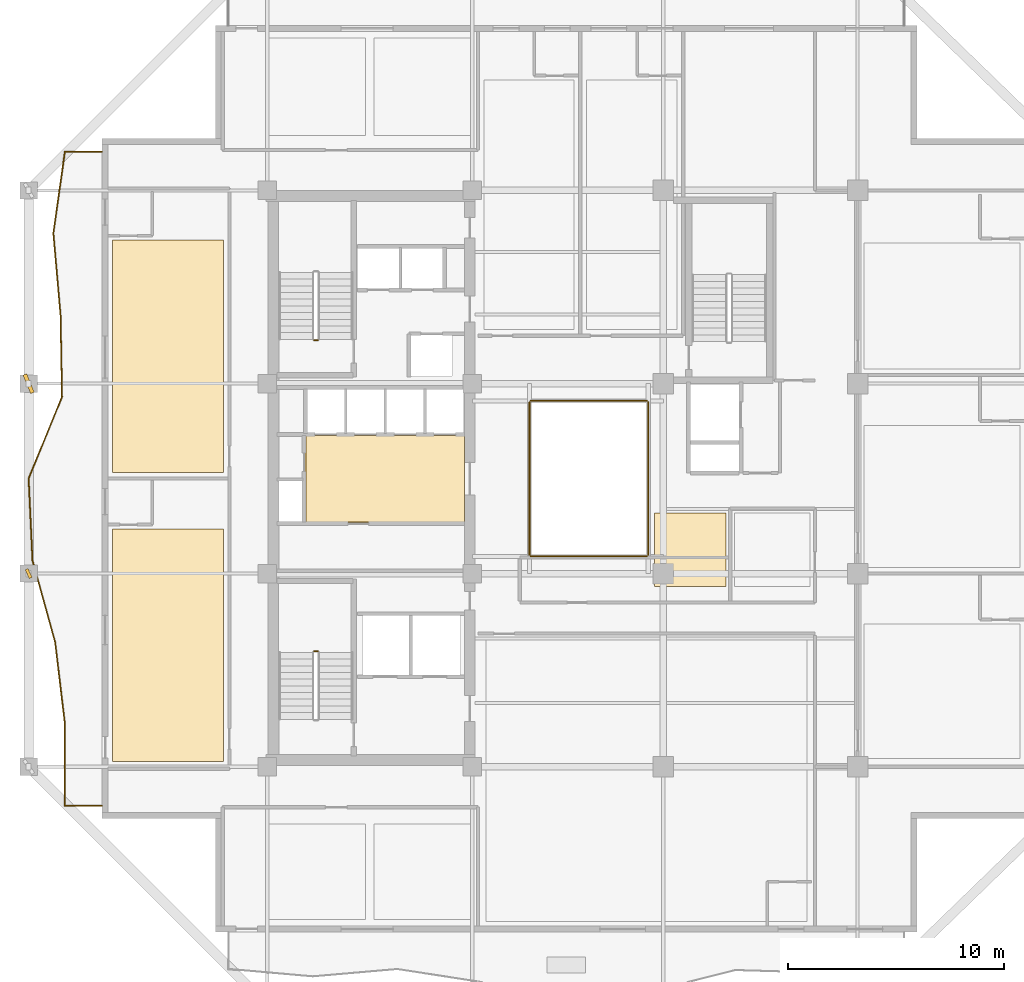
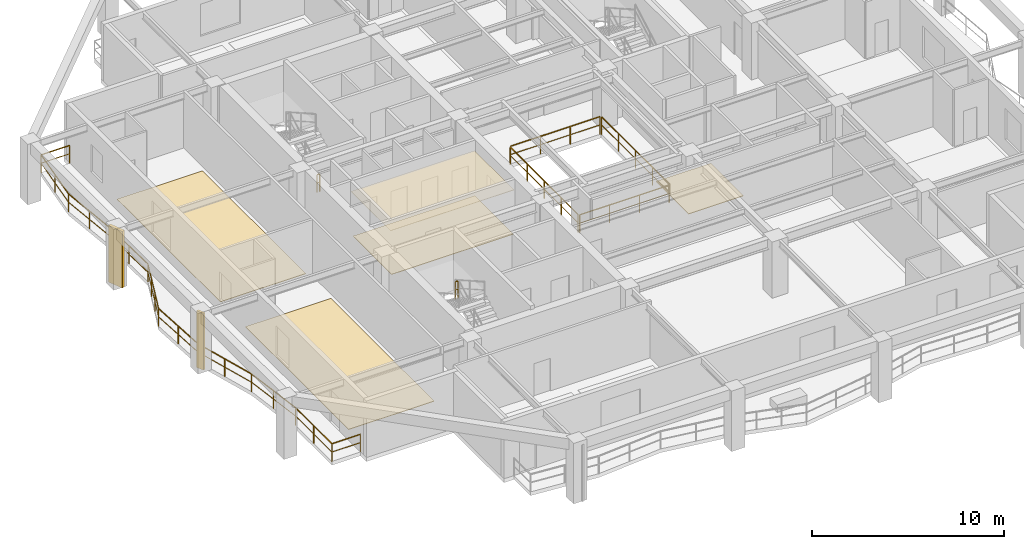
# One storey, part 8 of 12: 7 railings, 5 coverings, 2 shading devices.
"""IFC4 building model written with IfcOpenShell, lengths in metres."""

from ifc_helpers import new_model, si_unit, direction, frame, origin, origin_2d, place, context, subcontext, project, spatial, polyline, rectangle, outline, extrude, material, layer, layer_set, type_object, element, save


model = new_model("IFC4")

# Units and contexts
model_context = context("Model", 3, precision=1e-05, world=origin(), true_north=direction((0.0, 1.0)))
body_context = subcontext(model_context, "Body", "Model", "MODEL_VIEW")
ifc_project = project(units=[si_unit("LENGTHUNIT", "METRE"), si_unit("AREAUNIT", "SQUARE_METRE"), si_unit("VOLUMEUNIT", "CUBIC_METRE"), si_unit("PLANEANGLEUNIT", "RADIAN"), si_unit("MASSUNIT", "GRAM", prefix="KILO")], contexts=[model_context])

# Site, building, storey
site_placement = place(None, origin())
site = spatial("IfcSite", under=ifc_project, at=site_placement, CompositionType="ELEMENT")
building_placement = place(site_placement, origin())
building = spatial("IfcBuilding", under=site, at=building_placement, Name="Kundavana Baori Tower", CompositionType="ELEMENT")
storey_placement = place(building_placement, frame((0.0, 0.0, 196.39990234375)))
storey = spatial("IfcBuildingStorey", under=building, at=storey_placement, Name="L48", CompositionType="ELEMENT", Elevation=196.39990234375)

# Coverings
ifc_material_1 = material(Name="Perforated Acoustic Mineral Fibre Ceiling Board")
ifc_layer_1 = layer(ifc_material_1, 0.02490234375, Name="COV-INT-CEIL")
ifc_layer_set_1 = layer_set([ifc_layer_1], Name="Perforated Acoustic Mineral Fibre Ceiling Board")
covering_type_1 = type_object("IfcCoveringType", Name="COV-INT-CEIL", PredefinedType="CEILING", material=ifc_layer_set_1)
covering_1_placement = place(storey_placement, frame((0.0, 0.0, 2.85009765625)))
element("IfcCovering", 1, at=covering_1_placement, inside=storey, type_object=covering_type_1, Name="L48 Core Lift Lobby Acoustic Ceiling", PredefinedType="CEILING", context=body_context, shape_type="SweptSolid", body=[
    extrude(outline(polyline([(17.159912109375, 26.52001953125), (24.580078125, 26.52001953125), (24.580078125, 30.639892578125), (17.159912109375, 30.639892578125), (17.159912109375, 26.52001953125)])), origin(), (0.0, 0.0, 1.0), 0.02490234375),
])
ifc_material_2 = material(Name="Honed Kota Stone and Terrazzo Flooring", Category="masonry")
ifc_layer_2 = layer(ifc_material_2, 0.030029296875, Name="COV-INT-FLR")
ifc_layer_set_2 = layer_set([ifc_layer_2], Name="Honed Kota Stone and Terrazzo Flooring")
covering_type_2 = type_object("IfcCoveringType", Name="COV-INT-FLR", PredefinedType="FLOORING", material=ifc_layer_set_2)
covering_2_placement = place(storey_placement, origin())
element("IfcCovering", 2, at=covering_2_placement, inside=storey, type_object=covering_type_2, Name="L48 Room Finished Stone Flooring 1", PredefinedType="FLOORING", context=body_context, shape_type="SweptSolid", body=[
    extrude(outline(polyline([(8.280029296875, 15.5), (13.419921875, 15.5), (13.419921875, 26.27001953125), (8.280029296875, 26.27001953125), (8.280029296875, 15.5)])), origin(), (0.0, 0.0, 1.0), 0.030029296875),
])
covering_3_placement = place(storey_placement, origin())
element("IfcCovering", 3, at=covering_3_placement, inside=storey, type_object=covering_type_2, Name="L48 Room Finished Stone Flooring 2", PredefinedType="FLOORING", context=body_context, shape_type="SweptSolid", body=[
    extrude(outline(polyline([(8.280029296875, 28.8798828125), (13.419921875, 28.8798828125), (13.419921875, 39.64990234375), (8.280029296875, 39.64990234375), (8.280029296875, 28.8798828125)])), origin(), (0.0, 0.0, 1.0), 0.030029296875),
])
covering_4_placement = place(storey_placement, origin())
element("IfcCovering", 4, at=covering_4_placement, inside=storey, type_object=covering_type_2, Name="L48 Room Finished Stone Flooring 13", PredefinedType="FLOORING", context=body_context, shape_type="SweptSolid", body=[
    extrude(outline(polyline([(33.39990234375, 23.60009765625), (36.699951171875, 23.60009765625), (36.699951171875, 27.0), (33.39990234375, 27.0), (33.39990234375, 23.60009765625)])), origin(), (0.0, 0.0, 1.0), 0.030029296875),
])
covering_5_placement = place(storey_placement, origin())
element("IfcCovering", 5, at=covering_5_placement, inside=storey, type_object=covering_type_2, Name="L48 Core Lift Lobby Kota Stone Flooring", PredefinedType="FLOORING", context=body_context, shape_type="SweptSolid", body=[
    extrude(outline(polyline([(17.25, 26.580078125), (24.580078125, 26.580078125), (24.580078125, 30.60009765625), (17.25, 30.60009765625), (17.25, 26.580078125)])), origin(), (0.0, 0.0, 1.0), 0.030029296875),
])

# Railings
ifc_material_3 = material(Name="Architectural Patinated Bronze Metalwork")
railing_type_1 = type_object("IfcRailingType", Name="RL-BAL-1150", PredefinedType="BALUSTRADE", material=ifc_material_3)
railing_1_placement = place(storey_placement, frame((7.800048828125, 13.449951171875, 0.0)))
element("IfcRailing", 6, at=railing_1_placement, inside=storey, type_object=railing_type_1, Name="L48 Loggia Balcony Balustrade W", PredefinedType="BALUSTRADE", context=body_context, shape_type="SweptSolid", body=[
    extrude(rectangle(XDim=0.048095703125, YDim=0.048095703125, at=origin_2d()), frame((0.0, 0.0, 1.1259765625), z_axis=(-1.0, 0.0, 0.0), x_axis=(0.0, -1.0, 0.0)), (0.0, 0.0, 1.0), 1.719970703125),
    extrude(rectangle(XDim=0.03125, YDim=0.03125, at=origin_2d()), frame((0.0, 0.0, 0.597900390625), z_axis=(-1.0, 0.0, 0.0), x_axis=(0.0, -1.0, 0.0)), (0.0, 0.0, 1.0), 1.719970703125),
    extrude(rectangle(XDim=0.048095703125, YDim=0.048095703125, at=origin_2d()), frame((-1.719970703125, 0.0, 1.1259765625), z_axis=(-0.000580046306, 0.999999831773, 0.0), x_axis=(-0.999999831773, -0.000580046306, 0.0)), (0.0, 0.0, 1.0), 3.7880859375),
    extrude(rectangle(XDim=0.03125, YDim=0.03125, at=origin_2d()), frame((-1.719970703125, 0.0, 0.597900390625), z_axis=(-0.000580046306, 0.999999831773, 0.0), x_axis=(-0.999999831773, -0.000580046306, 0.0)), (0.0, 0.0, 1.0), 3.7880859375),
    extrude(rectangle(XDim=0.048095703125, YDim=0.048095703125, at=origin_2d()), frame((-1.72216796875, 3.7880859375, 1.1259765625), z_axis=(-0.118241445606, 0.992984874276, 0.0), x_axis=(-0.992984874276, -0.118241445606, 0.0)), (0.0, 0.0, 1.0), 3.813720703125),
    extrude(rectangle(XDim=0.03125, YDim=0.03125, at=origin_2d()), frame((-1.72216796875, 3.7880859375, 0.597900390625), z_axis=(-0.118241445606, 0.992984874276, 0.0), x_axis=(-0.992984874276, -0.118241445606, 0.0)), (0.0, 0.0, 1.0), 3.813720703125),
    extrude(rectangle(XDim=0.048095703125, YDim=0.048095703125, at=origin_2d()), frame((-2.173095703125, 7.574951171875, 1.1259765625), z_axis=(-0.267188862303, 0.963644183224, 0.0), x_axis=(-0.963644183224, -0.267188862303, 0.0)), (0.0, 0.0, 1.0), 3.929931640625),
    extrude(rectangle(XDim=0.03125, YDim=0.03125, at=origin_2d()), frame((-2.173095703125, 7.574951171875, 0.597900390625), z_axis=(-0.267188862303, 0.963644183224, 0.0), x_axis=(-0.963644183224, -0.267188862303, 0.0)), (0.0, 0.0, 1.0), 3.929931640625),
    extrude(rectangle(XDim=0.048095703125, YDim=0.048095703125, at=origin_2d()), frame((-3.22314453125, 11.362060546875, 1.1259765625), z_axis=(-0.04667503492, 0.998910126646, 0.0), x_axis=(-0.998910126646, -0.04667503492, 0.0)), (0.0, 0.0, 1.0), 3.792236328125),
    extrude(rectangle(XDim=0.03125, YDim=0.03125, at=origin_2d()), frame((-3.22314453125, 11.362060546875, 0.597900390625), z_axis=(-0.04667503492, 0.998910126646, 0.0), x_axis=(-0.998910126646, -0.04667503492, 0.0)), (0.0, 0.0, 1.0), 3.792236328125),
    extrude(rectangle(XDim=0.048095703125, YDim=0.048095703125, at=origin_2d()), frame((-3.400146484375, 15.150146484375, 1.1259765625), z_axis=(0.377710111152, 0.925923901805, 0.0), x_axis=(-0.925923901805, 0.377710111152, 0.0)), (0.0, 0.0, 1.0), 4.0908203125),
    extrude(rectangle(XDim=0.03125, YDim=0.03125, at=origin_2d()), frame((-3.400146484375, 15.150146484375, 0.597900390625), z_axis=(0.377710111152, 0.925923901805, 0.0), x_axis=(-0.925923901805, 0.377710111152, 0.0)), (0.0, 0.0, 1.0), 4.0908203125),
    extrude(rectangle(XDim=0.048095703125, YDim=0.048095703125, at=origin_2d()), frame((-1.85498046875, 18.93798828125, 1.1259765625), z_axis=(-0.017983166764, 0.999838289781, 0.0), x_axis=(-0.999838289781, -0.017983166764, 0.0)), (0.0, 0.0, 1.0), 3.787841796875),
    extrude(rectangle(XDim=0.03125, YDim=0.03125, at=origin_2d()), frame((-1.85498046875, 18.93798828125, 0.597900390625), z_axis=(-0.017983166764, 0.999838289781, 0.0), x_axis=(-0.999838289781, -0.017983166764, 0.0)), (0.0, 0.0, 1.0), 3.787841796875),
    extrude(rectangle(XDim=0.048095703125, YDim=0.048095703125, at=origin_2d()), frame((-1.923095703125, 22.72509765625, 1.1259765625), z_axis=(-0.087599540451, 0.996155771209, 0.0), x_axis=(-0.996155771209, -0.087599540451, 0.0)), (0.0, 0.0, 1.0), 3.801513671875),
    extrude(rectangle(XDim=0.03125, YDim=0.03125, at=origin_2d()), frame((-1.923095703125, 22.72509765625, 0.597900390625), z_axis=(-0.087599540451, 0.996155771209, 0.0), x_axis=(-0.996155771209, -0.087599540451, 0.0)), (0.0, 0.0, 1.0), 3.801513671875),
    extrude(rectangle(XDim=0.048095703125, YDim=0.048095703125, at=origin_2d()), frame((-2.256103515625, 26.511962890625, 1.1259765625), z_axis=(0.140134753834, 0.990132441024, 0.0), x_axis=(-0.990132441024, 0.140134753834, 0.0)), (0.0, 0.0, 1.0), 3.825927734375),
    extrude(rectangle(XDim=0.03125, YDim=0.03125, at=origin_2d()), frame((-2.256103515625, 26.511962890625, 0.597900390625), z_axis=(0.140134753834, 0.990132441024, 0.0), x_axis=(-0.990132441024, 0.140134753834, 0.0)), (0.0, 0.0, 1.0), 3.825927734375),
    extrude(rectangle(XDim=0.048095703125, YDim=0.048095703125, at=origin_2d()), frame((-1.719970703125, 30.300048828125, 1.1259765625), z_axis=(1.0, 0.0, 0.0), x_axis=(0.0, 1.0, 0.0)), (0.0, 0.0, 1.0), 1.719970703125),
    extrude(rectangle(XDim=0.03125, YDim=0.03125, at=origin_2d()), frame((-1.719970703125, 30.300048828125, 0.597900390625), z_axis=(1.0, 0.0, 0.0), x_axis=(0.0, 1.0, 0.0)), (0.0, 0.0, 1.0), 1.719970703125),
    extrude(rectangle(XDim=0.0419921875, YDim=0.0419921875, at=origin_2d()), origin(), (0.0, 0.0, 1.0), 1.101806640625),
    extrude(rectangle(XDim=0.0419921875, YDim=0.0419921875, at=origin_2d()), frame((-1.719970703125, 0.0, 0.0)), (0.0, 0.0, 1.0), 1.101806640625),
    extrude(rectangle(XDim=0.0419921875, YDim=0.0419921875, at=origin_2d()), frame((-1.72119140625, 1.89404296875, 0.0)), (0.0, 0.0, 1.0), 1.101806640625),
    extrude(rectangle(XDim=0.0419921875, YDim=0.0419921875, at=origin_2d()), frame((-1.72216796875, 3.7880859375, 0.0)), (0.0, 0.0, 1.0), 1.101806640625),
    extrude(rectangle(XDim=0.0419921875, YDim=0.0419921875, at=origin_2d()), frame((-1.94775390625, 5.681640625, 0.0)), (0.0, 0.0, 1.0), 1.101806640625),
    extrude(rectangle(XDim=0.0419921875, YDim=0.0419921875, at=origin_2d()), frame((-2.173095703125, 7.574951171875, 0.0)), (0.0, 0.0, 1.0), 1.101806640625),
    extrude(rectangle(XDim=0.0419921875, YDim=0.0419921875, at=origin_2d()), frame((-2.6982421875, 9.468505859375, 0.0)), (0.0, 0.0, 1.0), 1.101806640625),
    extrude(rectangle(XDim=0.0419921875, YDim=0.0419921875, at=origin_2d()), frame((-3.22314453125, 11.362060546875, 0.0)), (0.0, 0.0, 1.0), 1.101806640625),
    extrude(rectangle(XDim=0.0419921875, YDim=0.0419921875, at=origin_2d()), frame((-3.3115234375, 13.256103515625, 0.0)), (0.0, 0.0, 1.0), 1.101806640625),
    extrude(rectangle(XDim=0.0419921875, YDim=0.0419921875, at=origin_2d()), frame((-3.400146484375, 15.150146484375, 0.0)), (0.0, 0.0, 1.0), 1.101806640625),
    extrude(rectangle(XDim=0.0419921875, YDim=0.0419921875, at=origin_2d()), frame((-2.885009765625, 16.412841796875, 0.0)), (0.0, 0.0, 1.0), 1.101806640625),
    extrude(rectangle(XDim=0.0419921875, YDim=0.0419921875, at=origin_2d()), frame((-2.3701171875, 17.67529296875, 0.0)), (0.0, 0.0, 1.0), 1.101806640625),
    extrude(rectangle(XDim=0.0419921875, YDim=0.0419921875, at=origin_2d()), frame((-1.85498046875, 18.93798828125, 0.0)), (0.0, 0.0, 1.0), 1.101806640625),
    extrude(rectangle(XDim=0.0419921875, YDim=0.0419921875, at=origin_2d()), frame((-1.88916015625, 20.83154296875, 0.0)), (0.0, 0.0, 1.0), 1.101806640625),
    extrude(rectangle(XDim=0.0419921875, YDim=0.0419921875, at=origin_2d()), frame((-1.923095703125, 22.72509765625, 0.0)), (0.0, 0.0, 1.0), 1.101806640625),
    extrude(rectangle(XDim=0.0419921875, YDim=0.0419921875, at=origin_2d()), frame((-2.089599609375, 24.61865234375, 0.0)), (0.0, 0.0, 1.0), 1.101806640625),
    extrude(rectangle(XDim=0.0419921875, YDim=0.0419921875, at=origin_2d()), frame((-2.256103515625, 26.511962890625, 0.0)), (0.0, 0.0, 1.0), 1.101806640625),
    extrude(rectangle(XDim=0.0419921875, YDim=0.0419921875, at=origin_2d()), frame((-1.988037109375, 28.406005859375, 0.0)), (0.0, 0.0, 1.0), 1.101806640625),
    extrude(rectangle(XDim=0.0419921875, YDim=0.0419921875, at=origin_2d()), frame((-1.719970703125, 30.300048828125, 0.0)), (0.0, 0.0, 1.0), 1.101806640625),
    extrude(rectangle(XDim=0.0419921875, YDim=0.0419921875, at=origin_2d()), frame((0.0, 30.300048828125, 0.0)), (0.0, 0.0, 1.0), 1.101806640625),
])
ifc_material_4 = material(Name="Architectural Patinated Bronze Metalwork")
railing_type_2 = type_object("IfcRailingType", Name="RL-GRD-1150", PredefinedType="GUARDRAIL", material=ifc_material_4)
for number, where, name in (
    (7, (17.7900390625, 20.60009765625, 1.925048828125), "L48 ST1 stair guard 2"),
    (8, (17.7900390625, 35.0, 0.0), "L48 ST2 stair guard 4"),
):
    element("IfcRailing", number, at=place(storey_placement, frame(where)), inside=storey, type_object=railing_type_2, Name=name, PredefinedType="GUARDRAIL", context=body_context, shape_type="SweptSolid", body=[
        extrude(rectangle(XDim=0.048095703125, YDim=0.048095703125, at=origin_2d()), frame((0.0, 0.0, 1.1259765625), z_axis=(-1.0, 0.0, 0.0), x_axis=(0.0, -1.0, 0.0)), (0.0, 0.0, 1.0), 0.16015625),
        extrude(rectangle(XDim=0.03125, YDim=0.03125, at=origin_2d()), frame((0.0, 0.0, 0.597900390625), z_axis=(-1.0, 0.0, 0.0), x_axis=(0.0, -1.0, 0.0)), (0.0, 0.0, 1.0), 0.16015625),
        extrude(rectangle(XDim=0.0419921875, YDim=0.0419921875, at=origin_2d()), origin(), (0.0, 0.0, 1.0), 1.101806640625),
        extrude(rectangle(XDim=0.0419921875, YDim=0.0419921875, at=origin_2d()), frame((-0.16015625, 0.0, 0.0)), (0.0, 0.0, 1.0), 1.101806640625),
    ])
railing_2_placement = place(storey_placement, frame((27.659912109375, 25.0, 0.0)))
element("IfcRailing", 9, at=railing_2_placement, inside=storey, type_object=railing_type_2, Name="L48 Atrium Void Perimeter Guardrail S", PredefinedType="GUARDRAIL", context=body_context, shape_type="SweptSolid", body=[
    extrude(rectangle(XDim=0.048095703125, YDim=0.048095703125, at=origin_2d()), frame((0.0, 0.0, 1.1259765625), z_axis=(1.0, 0.0, 0.0), x_axis=(0.0, 1.0, 0.0)), (0.0, 0.0, 1.0), 5.380126953125),
    extrude(rectangle(XDim=0.03125, YDim=0.03125, at=origin_2d()), frame((0.0, 0.0, 0.597900390625), z_axis=(1.0, 0.0, 0.0), x_axis=(0.0, 1.0, 0.0)), (0.0, 0.0, 1.0), 5.380126953125),
    extrude(rectangle(XDim=0.0419921875, YDim=0.0419921875, at=origin_2d()), origin(), (0.0, 0.0, 1.0), 1.101806640625),
    extrude(rectangle(XDim=0.0419921875, YDim=0.0419921875, at=origin_2d()), frame((1.79345703125, 0.0, 0.0)), (0.0, 0.0, 1.0), 1.101806640625),
    extrude(rectangle(XDim=0.0419921875, YDim=0.0419921875, at=origin_2d()), frame((3.586669921875, 0.0, 0.0)), (0.0, 0.0, 1.0), 1.101806640625),
    extrude(rectangle(XDim=0.0419921875, YDim=0.0419921875, at=origin_2d()), frame((5.380126953125, 0.0, 0.0)), (0.0, 0.0, 1.0), 1.101806640625),
])
railing_3_placement = place(storey_placement, frame((33.10009765625, 25.06005859375, 0.0)))
element("IfcRailing", 10, at=railing_3_placement, inside=storey, type_object=railing_type_2, Name="L48 Atrium Void Perimeter Guardrail E", PredefinedType="GUARDRAIL", context=body_context, shape_type="SweptSolid", body=[
    extrude(rectangle(XDim=0.048095703125, YDim=0.048095703125, at=origin_2d()), frame((0.0, 0.0, 1.1259765625), z_axis=(0.0, 1.0, 0.0), x_axis=(-1.0, 0.0, 0.0)), (0.0, 0.0, 1.0), 7.079833984375),
    extrude(rectangle(XDim=0.03125, YDim=0.03125, at=origin_2d()), frame((0.0, 0.0, 0.597900390625), z_axis=(0.0, 1.0, 0.0), x_axis=(-1.0, 0.0, 0.0)), (0.0, 0.0, 1.0), 7.079833984375),
    extrude(rectangle(XDim=0.0419921875, YDim=0.0419921875, at=origin_2d()), origin(), (0.0, 0.0, 1.0), 1.101806640625),
    extrude(rectangle(XDim=0.0419921875, YDim=0.0419921875, at=origin_2d()), frame((0.0, 1.77001953125, 0.0)), (0.0, 0.0, 1.0), 1.101806640625),
    extrude(rectangle(XDim=0.0419921875, YDim=0.0419921875, at=origin_2d()), frame((0.0, 3.5400390625, 0.0)), (0.0, 0.0, 1.0), 1.101806640625),
    extrude(rectangle(XDim=0.0419921875, YDim=0.0419921875, at=origin_2d()), frame((0.0, 5.309814453125, 0.0)), (0.0, 0.0, 1.0), 1.101806640625),
    extrude(rectangle(XDim=0.0419921875, YDim=0.0419921875, at=origin_2d()), frame((0.0, 7.079833984375, 0.0)), (0.0, 0.0, 1.0), 1.101806640625),
])
railing_4_placement = place(storey_placement, frame((33.0400390625, 32.199951171875, 0.0)))
element("IfcRailing", 11, at=railing_4_placement, inside=storey, type_object=railing_type_2, Name="L48 Atrium Void Perimeter Guardrail N", PredefinedType="GUARDRAIL", context=body_context, shape_type="SweptSolid", body=[
    extrude(rectangle(XDim=0.048095703125, YDim=0.048095703125, at=origin_2d()), frame((0.0, 0.0, 1.1259765625), z_axis=(-1.0, 0.0, 0.0), x_axis=(0.0, -1.0, 0.0)), (0.0, 0.0, 1.0), 5.380126953125),
    extrude(rectangle(XDim=0.03125, YDim=0.03125, at=origin_2d()), frame((0.0, 0.0, 0.597900390625), z_axis=(-1.0, 0.0, 0.0), x_axis=(0.0, -1.0, 0.0)), (0.0, 0.0, 1.0), 5.380126953125),
    extrude(rectangle(XDim=0.0419921875, YDim=0.0419921875, at=origin_2d()), origin(), (0.0, 0.0, 1.0), 1.101806640625),
    extrude(rectangle(XDim=0.0419921875, YDim=0.0419921875, at=origin_2d()), frame((-1.79345703125, 0.0, 0.0)), (0.0, 0.0, 1.0), 1.101806640625),
    extrude(rectangle(XDim=0.0419921875, YDim=0.0419921875, at=origin_2d()), frame((-3.586669921875, 0.0, 0.0)), (0.0, 0.0, 1.0), 1.101806640625),
    extrude(rectangle(XDim=0.0419921875, YDim=0.0419921875, at=origin_2d()), frame((-5.380126953125, 0.0, 0.0)), (0.0, 0.0, 1.0), 1.101806640625),
])
railing_5_placement = place(storey_placement, frame((27.60009765625, 32.139892578125, 0.0)))
element("IfcRailing", 12, at=railing_5_placement, inside=storey, type_object=railing_type_2, Name="L48 Atrium Void Perimeter Guardrail W", PredefinedType="GUARDRAIL", context=body_context, shape_type="SweptSolid", body=[
    extrude(rectangle(XDim=0.048095703125, YDim=0.048095703125, at=origin_2d()), frame((0.0, 0.0, 1.1259765625), z_axis=(0.0, -1.0, 0.0), x_axis=(1.0, 0.0, 0.0)), (0.0, 0.0, 1.0), 7.079833984375),
    extrude(rectangle(XDim=0.03125, YDim=0.03125, at=origin_2d()), frame((0.0, 0.0, 0.597900390625), z_axis=(0.0, -1.0, 0.0), x_axis=(1.0, 0.0, 0.0)), (0.0, 0.0, 1.0), 7.079833984375),
    extrude(rectangle(XDim=0.0419921875, YDim=0.0419921875, at=origin_2d()), origin(), (0.0, 0.0, 1.0), 1.101806640625),
    extrude(rectangle(XDim=0.0419921875, YDim=0.0419921875, at=origin_2d()), frame((0.0, -1.77001953125, 0.0)), (0.0, 0.0, 1.0), 1.101806640625),
    extrude(rectangle(XDim=0.0419921875, YDim=0.0419921875, at=origin_2d()), frame((0.0, -3.5400390625, 0.0)), (0.0, 0.0, 1.0), 1.101806640625),
    extrude(rectangle(XDim=0.0419921875, YDim=0.0419921875, at=origin_2d()), frame((0.0, -5.309814453125, 0.0)), (0.0, 0.0, 1.0), 1.101806640625),
    extrude(rectangle(XDim=0.0419921875, YDim=0.0419921875, at=origin_2d()), frame((0.0, -7.079833984375, 0.0)), (0.0, 0.0, 1.0), 1.101806640625),
])

# Shading devices
ifc_material_5 = material(Name="Red-Buff Dholpur Sandstone Cladding on Concrete C40/50", Category="masonry")
shading_device_type_1 = type_object("IfcShadingDeviceType", Name="SHD-FIN-920", PredefinedType="JALOUSIE", material=ifc_material_5)
shading_device_1_placement = place(storey_placement, frame((4.39990234375, 33.0, 0.0), z_axis=(0.0, 0.0, 1.0), x_axis=(0.925342117203, 0.379133177301, 0.0)))
element("IfcShadingDevice", 13, at=shading_device_1_placement, inside=storey, type_object=shading_device_type_1, Name="L48 Sweeping Dholpur Sandstone Facade Fin 7", PredefinedType="JALOUSIE", context=body_context, shape_type="SweptSolid", body=[
    extrude(rectangle(XDim=0.179931640625, YDim=0.919921875, at=origin_2d()), origin(), (0.0, 0.0, 1.0), 3.60009765625),
])
ifc_material_6 = material(Name="Architectural Patinated Bronze Metalwork")
shading_device_type_2 = type_object("IfcShadingDeviceType", Name="SHD-LOUV-450", PredefinedType="SHUTTER", material=ifc_material_6)
shading_device_2_placement = place(storey_placement, frame((4.39990234375, 24.199951171875, 0.0), z_axis=(0.0, 0.0, 1.0), x_axis=(0.907996978683, 0.418976713794, 0.0)))
element("IfcShadingDevice", 14, at=shading_device_2_placement, inside=storey, type_object=shading_device_type_2, Name="L48 Sweeping Dholpur Sandstone Facade Fin 6", PredefinedType="SHUTTER", context=body_context, shape_type="SweptSolid", body=[
    extrude(rectangle(XDim=0.139892578125, YDim=0.449951171875, at=origin_2d()), origin(), (0.0, 0.0, 1.0), 3.60009765625),
])

save(model, "model.ifc")
